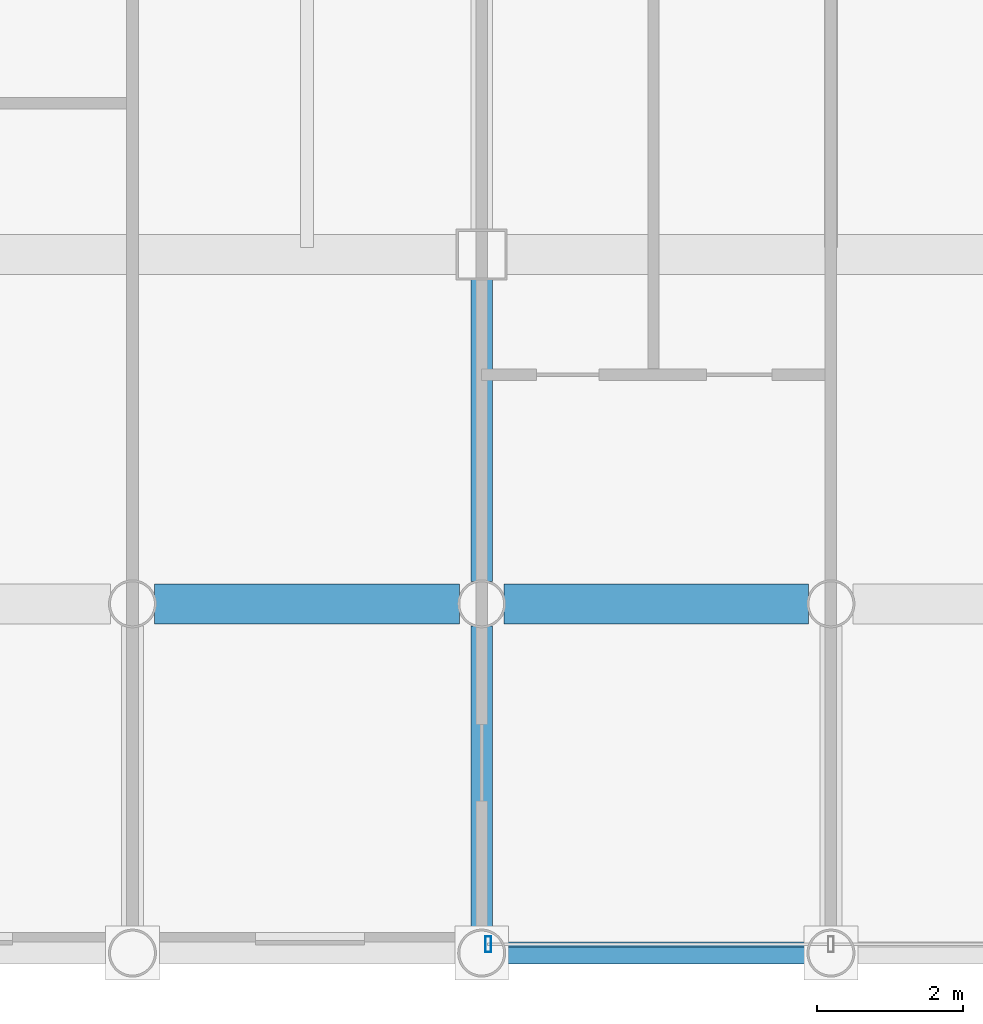
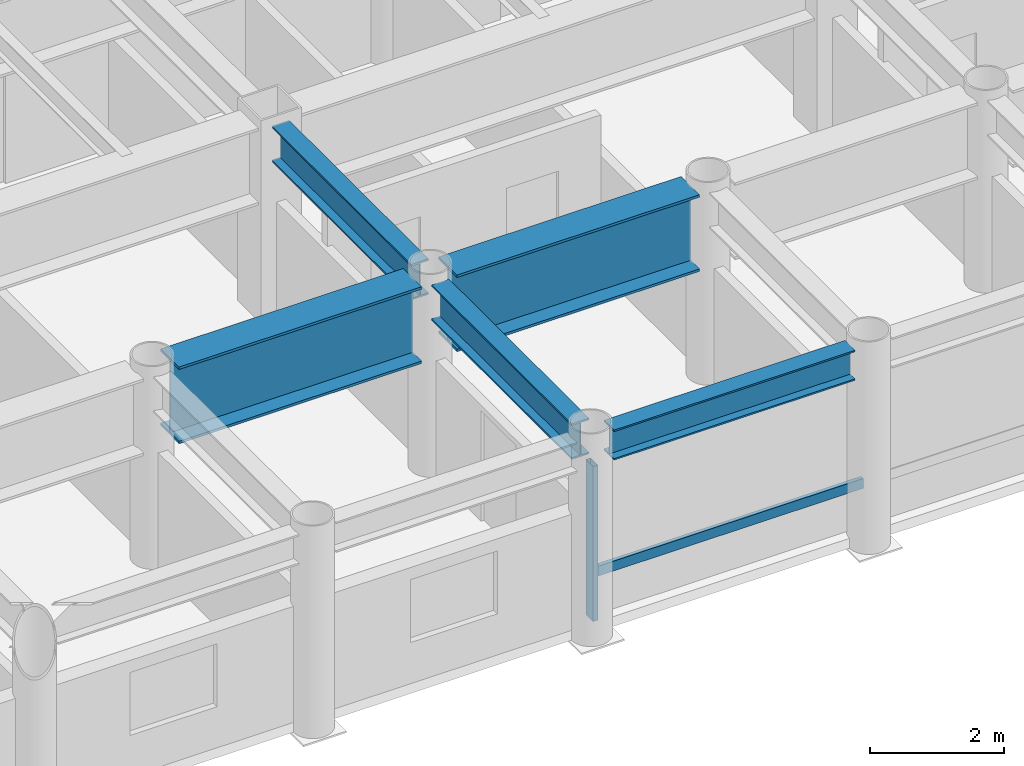
# One storey, part 3 of 22: 5 beams, 2 members, 1 element without a shape of its own.
"""IFC4 building model written with IfcOpenShell, lengths in metres."""

from ifc_helpers import new_model, si_unit, direction, frame, origin, origin_2d, place, context, subcontext, project, spatial, hollow_rectangle, i_section, extrude, material, layer, layer_set, material_profile, profile_set, type_object, element, aggregate, save


model = new_model("IFC4")

# Units and contexts
model_context = context("Model", 3, precision=1e-05, world=origin(), true_north=direction((0.0, 1.0)))
body_context = subcontext(model_context, "Body", "Model", "MODEL_VIEW")
ifc_project = project(units=[si_unit("LENGTHUNIT", "METRE"), si_unit("AREAUNIT", "SQUARE_METRE"), si_unit("VOLUMEUNIT", "CUBIC_METRE"), si_unit("PLANEANGLEUNIT", "RADIAN"), si_unit("MASSUNIT", "GRAM", prefix="KILO")], contexts=[model_context])

# Site, building, storey
site_placement = place(None, origin())
site = spatial("IfcSite", under=ifc_project, at=site_placement, CompositionType="ELEMENT")
building_placement = place(site_placement, origin())
building = spatial("IfcBuilding", under=site, at=building_placement, Name="Kallvorn Hotel Tower", CompositionType="ELEMENT")
storey_placement = place(building_placement, frame((0.0, 0.0, 154.39990234375)))
storey = spatial("IfcBuildingStorey", under=building, at=storey_placement, Name="L38", CompositionType="ELEMENT", Elevation=154.39990234375)

# Beams
ifc_material_1 = material(Name="Structural steel S355JR", Category="steel")
ifc_material_profile_1 = material_profile(ifc_material_1, i_section(OverallWidth=0.300048828125, OverallDepth=0.550048828125, WebThickness=0.014892578125, FlangeThickness=0.029052734375, at=origin_2d()), Name="HE 550 B")
ifc_profile_set_1 = profile_set([ifc_material_profile_1], Name="Structural steel S355JR")
beam_type_1 = type_object("IfcBeamType", Name="BM_HE550B", PredefinedType="SPANDREL", material=ifc_profile_set_1)
beam_1_placement = place(storey_placement, frame((-4.47998046875, -24.0, 3.2451171875), z_axis=(1.0, 0.0, 0.0), x_axis=(0.0, 1.0, 0.0)))
element("IfcBeam", 1, at=beam_1_placement, inside=storey, type_object=beam_type_1, Name="L39 Perimeter Spandrel 156", PredefinedType="SPANDREL", context=body_context, shape_type="SweptSolid", body=[
    extrude(i_section(OverallWidth=0.300048828125, OverallDepth=0.550048828125, WebThickness=0.014892578125, FlangeThickness=0.029052734375, at=origin_2d()), origin(), (0.0, 0.0, 1.0), 4.159912109375),
])
ifc_material_2 = material(Name="Structural steel S355JR", Category="steel")
ifc_material_profile_2 = material_profile(ifc_material_2, i_section(OverallWidth=0.300048828125, OverallDepth=0.64990234375, WebThickness=0.01611328125, FlangeThickness=0.031005859375, at=origin_2d()), Name="HE 650 B")
ifc_profile_set_2 = profile_set([ifc_material_profile_2], Name="Structural steel S355JR")
beam_type_2 = type_object("IfcBeamType", Name="BM_HE650B", PredefinedType="BEAM", material=ifc_profile_set_2)
beam_2_placement = place(storey_placement, frame((-4.800048828125, -23.695068359375, 3.195068359375), z_axis=(0.0, 1.0, 0.0), x_axis=(-1.0, 0.0, 0.0)))
element("IfcBeam", 2, at=beam_2_placement, inside=storey, type_object=beam_type_2, Name="L39 Primary Y-Girder 106", PredefinedType="BEAM", context=body_context, shape_type="SweptSolid", body=[
    extrude(i_section(OverallWidth=0.300048828125, OverallDepth=0.64990234375, WebThickness=0.01611328125, FlangeThickness=0.031005859375, at=origin_2d()), origin(), (0.0, 0.0, 1.0), 4.190185546875),
])
beam_3_placement = place(storey_placement, frame((-4.800048828125, -18.89501953125, 3.195068359375), z_axis=(0.0, 1.0, 0.0), x_axis=(-1.0, 0.0, 0.0)))
element("IfcBeam", 3, at=beam_3_placement, inside=storey, type_object=beam_type_2, Name="L39 Primary Y-Girder 107", PredefinedType="BEAM", context=body_context, shape_type="SweptSolid", body=[
    extrude(i_section(OverallWidth=0.300048828125, OverallDepth=0.64990234375, WebThickness=0.01611328125, FlangeThickness=0.031005859375, at=origin_2d()), origin(), (0.0, 0.0, 1.0), 4.169921875),
])
ifc_material_3 = material(Name="Structural steel S355JR", Category="steel")
ifc_material_profile_3 = material_profile(ifc_material_3, i_section(OverallWidth=0.550048828125, OverallDepth=1.39990234375, WebThickness=0.02490234375, FlangeThickness=0.044921875, at=origin_2d()), Name="PG 1400x550x25x45")
ifc_profile_set_3 = profile_set([ifc_material_profile_3], Name="Structural steel S355JR")
beam_type_3 = type_object("IfcBeamType", Name="BM_PG_1400", PredefinedType="BEAM", material=ifc_profile_set_3)
beam_4_placement = place(storey_placement, frame((-9.294921875, -19.199951171875, 2.820068359375), z_axis=(1.0, 0.0, 0.0), x_axis=(0.0, 1.0, 0.0)))
element("IfcBeam", 4, at=beam_4_placement, inside=storey, type_object=beam_type_3, Name="L39 Primary X-Girder 06", PredefinedType="BEAM", context=body_context, shape_type="SweptSolid", body=[
    extrude(i_section(OverallWidth=0.550048828125, OverallDepth=1.39990234375, WebThickness=0.02490234375, FlangeThickness=0.044921875, at=origin_2d()), origin(), (0.0, 0.0, 1.0), 4.18994140625),
])
beam_5_placement = place(storey_placement, frame((-4.4951171875, -19.199951171875, 2.820068359375), z_axis=(1.0, 0.0, 0.0), x_axis=(0.0, 1.0, 0.0)))
element("IfcBeam", 5, at=beam_5_placement, inside=storey, type_object=beam_type_3, Name="L39 Primary X-Girder 07", PredefinedType="BEAM", context=body_context, shape_type="SweptSolid", body=[
    extrude(i_section(OverallWidth=0.550048828125, OverallDepth=1.39990234375, WebThickness=0.02490234375, FlangeThickness=0.044921875, at=origin_2d()), origin(), (0.0, 0.0, 1.0), 4.190185546875),
])

# Curtain wall, members
ifc_material_4 = material(Name="Thermally broken black-anodised aluminium AA 6063-T6", Category="aluminium")
ifc_layer = layer(ifc_material_4, 0.2099609375)
ifc_layer_set = layer_set([ifc_layer], Name="CW_SYS_4_HOTEL_MID")
curtain_wall_type = type_object("IfcCurtainWallType", Name="CW_SYS_4_HOTEL_MID", PredefinedType="USERDEFINED", material=ifc_layer_set)
curtain_wall_placement = place(storey_placement, origin())
curtain_wall = element("IfcCurtainWall", 6, at=curtain_wall_placement, inside=storey, type_object=curtain_wall_type, Name="L38 Dark-Glass Curtain Wall CW-L38-SC", ObjectType="UNITISED CURTAIN WALL", PredefinedType="USERDEFINED")
ifc_material_5 = material(Name="Thermally broken black-anodised aluminium AA 6063-T6", Category="aluminium")
ifc_material_profile_4 = material_profile(ifc_material_5, hollow_rectangle(XDim=0.080078125, YDim=0.219970703125, WallThickness=0.0048828125, at=origin_2d()), Name="MUL 220x80")
ifc_profile_set_4 = profile_set([ifc_material_profile_4], Name="Thermally broken black-anodised aluminium AA 6063-T6")
member_type_1 = type_object("IfcMemberType", Name="CW_MULLION_220x80", PredefinedType="MULLION", material=ifc_profile_set_4)
member_1_placement = place(storey_placement, frame((-4.7099609375, -23.8798828125, 0.02001953125), z_axis=(0.0, 0.0, 1.0), x_axis=(1.0, 0.0, 0.0)))
member_1 = element("IfcMember", 7, at=member_1_placement, type_object=member_type_1, Name="CW-L38-SC Mullion 00", PredefinedType="MULLION", context=body_context, shape_type="SweptSolid", body=[
    extrude(hollow_rectangle(XDim=0.080078125, YDim=0.219970703125, WallThickness=0.0048828125, at=origin_2d()), origin(), (0.0, 0.0, 1.0), 2.830078125),
])
ifc_material_6 = material(Name="Thermally broken black-anodised aluminium AA 6063-T6", Category="aluminium")
ifc_material_profile_5 = material_profile(ifc_material_6, hollow_rectangle(XDim=0.070068359375, YDim=0.179931640625, WallThickness=0.00390625, at=origin_2d()), Name="TRN 180x70")
ifc_profile_set_5 = profile_set([ifc_material_profile_5], Name="Thermally broken black-anodised aluminium AA 6063-T6")
member_type_2 = type_object("IfcMemberType", Name="CW_TRANSOM_180x70", PredefinedType="USERDEFINED", material=ifc_profile_set_5)
member_2_placement = place(storey_placement, frame((-4.7099609375, -23.8798828125, 0.85009765625), z_axis=(1.0, 0.0, 0.0), x_axis=(0.0, 1.0, 0.0)))
member_2 = element("IfcMember", 8, at=member_2_placement, type_object=member_type_2, Name="CW-L38-SC Transom 00M", ObjectType="TRANSOM", PredefinedType="USERDEFINED", context=body_context, shape_type="SweptSolid", body=[
    extrude(hollow_rectangle(XDim=0.070068359375, YDim=0.179931640625, WallThickness=0.00390625, at=origin_2d()), origin(), (0.0, 0.0, 1.0), 4.669921875),
])
aggregate(curtain_wall, [member_1, member_2])

save(model, "model.ifc")
